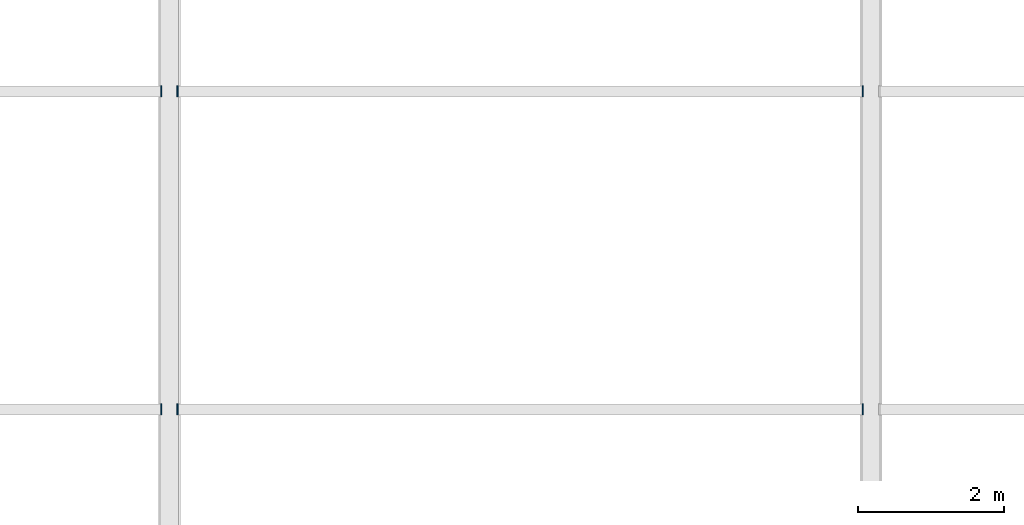
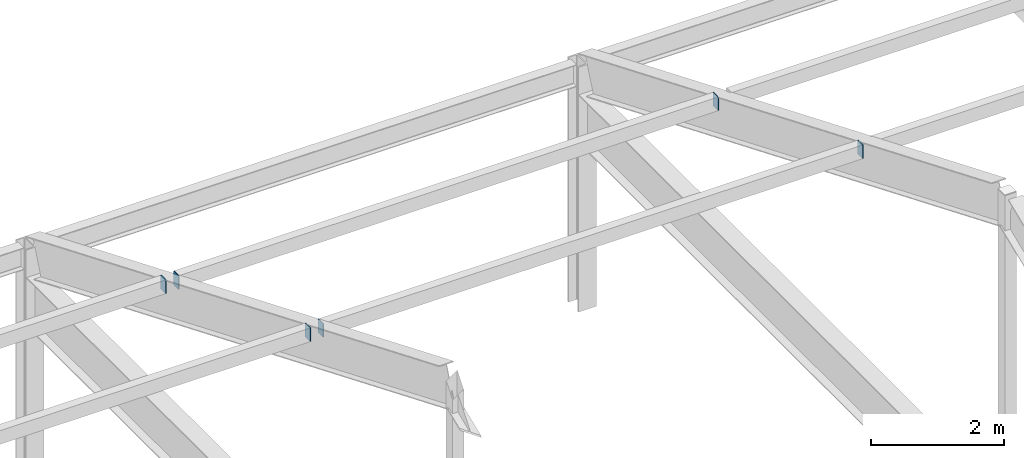
# One storey, part 61 of 88: 6 plates.
"""IFC4 building model written with IfcOpenShell, lengths in metres."""

from ifc_helpers import new_model, si_unit, direction, frame, origin, origin_2d, place, context, subcontext, project, spatial, rectangle, extrude, material, layer, layer_set, type_object, element, save


model = new_model("IFC4")

# Units and contexts
model_context = context("Model", 3, precision=1e-05, world=origin(), true_north=direction((0.0, 1.0)))
body_context = subcontext(model_context, "Body", "Model", "MODEL_VIEW")
ifc_project = project(units=[si_unit("LENGTHUNIT", "METRE"), si_unit("AREAUNIT", "SQUARE_METRE"), si_unit("VOLUMEUNIT", "CUBIC_METRE"), si_unit("PLANEANGLEUNIT", "RADIAN"), si_unit("MASSUNIT", "GRAM", prefix="KILO")], contexts=[model_context])

# Site, building, storey
site_placement = place(None, origin())
site = spatial("IfcSite", under=ifc_project, at=site_placement, CompositionType="ELEMENT")
building_placement = place(site_placement, origin())
building = spatial("IfcBuilding", under=site, at=building_placement, Name="Sarnbrook Museum", CompositionType="ELEMENT")
storey_placement = place(building_placement, frame((0.0, 0.0, 10.10009765625)))
storey = spatial("IfcBuildingStorey", under=building, at=storey_placement, Name="L02", CompositionType="ELEMENT", Elevation=10.10009765625)

# Plates
ifc_material = material(Name="Structural Steel Grade 350L0 (AS/NZS 3678, fy = 340 MPa for 20 < t <= 40 mm)", Category="steel")
ifc_layer = layer(ifc_material, 0.01611328125)
ifc_layer_set = layer_set([ifc_layer], Name="Structural Steel Grade 350L0 (AS/NZS 3678, fy = 340 MPa for 20 < t <= 40 mm)")
plate_type = type_object("IfcPlateType", Name="EndCapPlate_CAP250x150", PredefinedType="USERDEFINED", material=ifc_layer_set)
for number, where, z_axis, x_axis, name in (
    (1, (61.47998046875, 26.176025390625, 6.32177734375), (1.0, 0.0, 0.0), (0.0, 1.0, 0.0), "Hollow End Cap Plate AUDPR:N:0.33:2-2"),
    (2, (61.703857421875, 26.176025390625, 6.32177734375), (1.0, 0.0, 0.0), (0.0, 1.0, 0.0), "Hollow End Cap Plate AUDPR:N:0.33:3-1"),
    (3, (71.079833984375, 26.176025390625, 6.32177734375), (1.0, 0.0, 0.0), (0.0, 1.0, 0.0), "Hollow End Cap Plate AUDPR:N:0.33:3-2"),
    (4, (61.47998046875, 21.823974609375, 8.080078125), (1.0, 0.0, 0.0), (0.0, 1.0, 0.0), "Hollow End Cap Plate AUDPR:N:0.67:2-2"),
    (5, (61.703857421875, 21.823974609375, 8.080078125), (1.0, 0.0, 0.0), (0.0, 1.0, 0.0), "Hollow End Cap Plate AUDPR:N:0.67:3-1"),
    (6, (71.079833984375, 21.823974609375, 8.080078125), (1.0, 0.0, 0.0), (0.0, 1.0, 0.0), "Hollow End Cap Plate AUDPR:N:0.67:3-2"),
):
    element("IfcPlate", number, at=place(storey_placement, frame(where, z_axis=z_axis, x_axis=x_axis)), inside=storey, type_object=plate_type, Name=name, ObjectType="END CAP PLATE", PredefinedType="USERDEFINED", context=body_context, shape_type="SweptSolid", body=[
        extrude(rectangle(XDim=0.14990234375, YDim=0.25, at=origin_2d()), origin(), (0.0, 0.0, 1.0), 0.01611328125),
    ])

save(model, "model.ifc")
